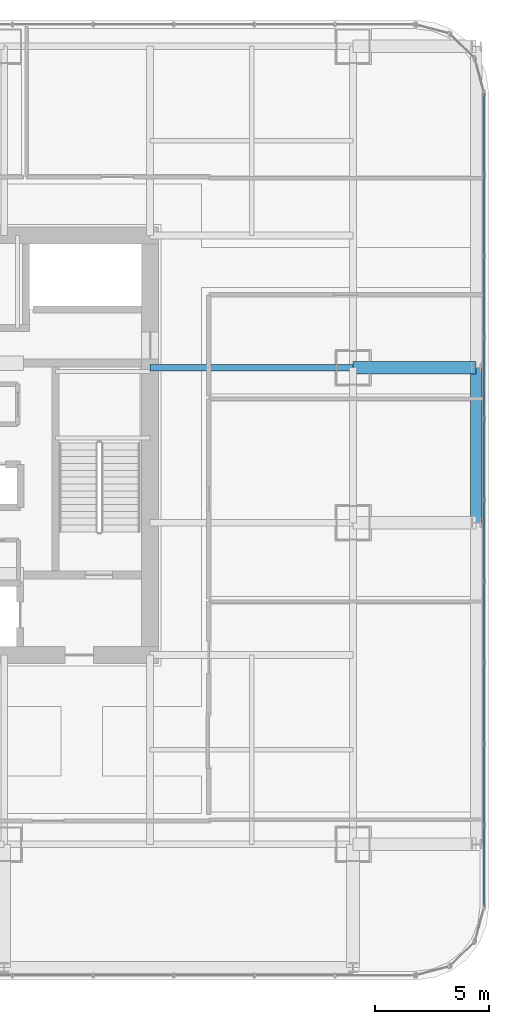
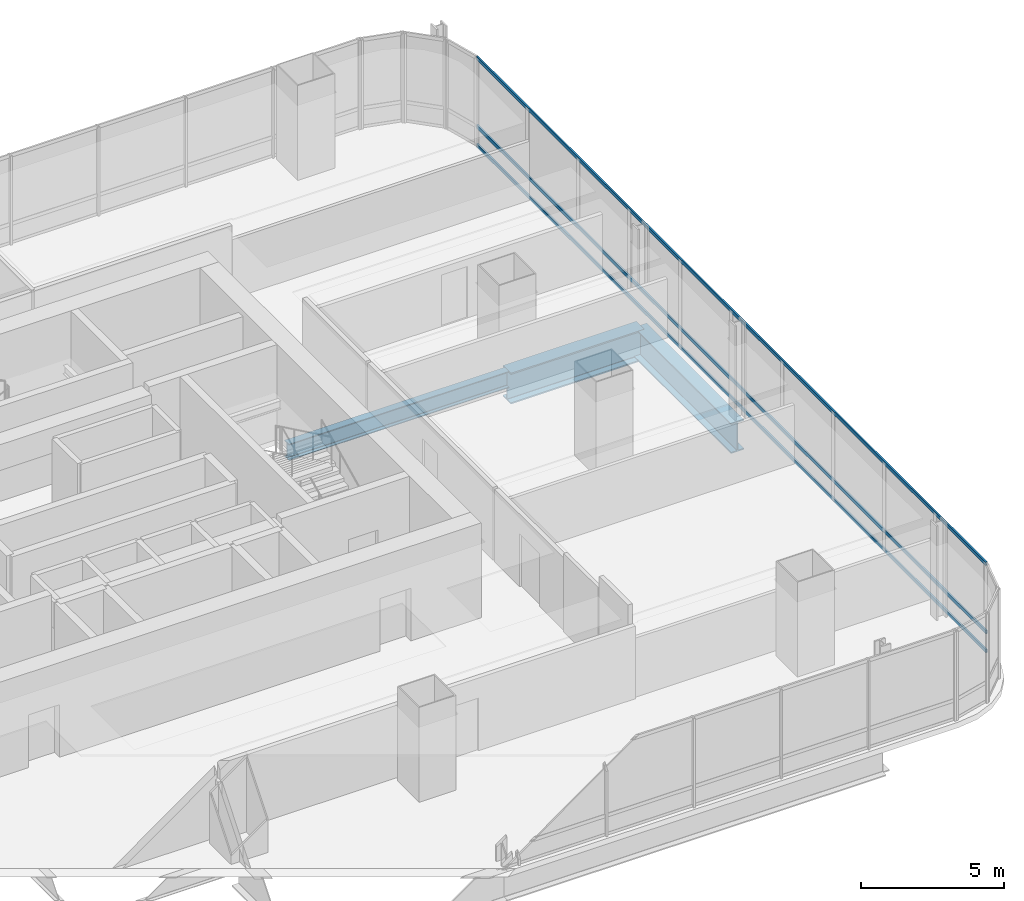
# One storey, part 16 of 35: 3 beams, 3 members, 1 element without a shape of its own.
"""IFC4 building model written with IfcOpenShell, lengths in metres."""

from ifc_helpers import new_model, si_unit, direction, frame, origin, origin_2d, place, context, subcontext, project, spatial, hollow_rectangle, i_section, extrude, material, material_profile, profile_set, type_object, element, aggregate, save


model = new_model("IFC4")

# Units and contexts
model_context = context("Model", 3, precision=1e-05, world=origin(), true_north=direction((0.0, 1.0)))
body_context = subcontext(model_context, "Body", "Model", "MODEL_VIEW")
ifc_project = project(units=[si_unit("LENGTHUNIT", "METRE"), si_unit("AREAUNIT", "SQUARE_METRE"), si_unit("VOLUMEUNIT", "CUBIC_METRE"), si_unit("PLANEANGLEUNIT", "RADIAN"), si_unit("MASSUNIT", "GRAM", prefix="KILO")], contexts=[model_context])

# Site, building, storey
site_placement = place(None, origin())
site = spatial("IfcSite", under=ifc_project, at=site_placement, CompositionType="ELEMENT")
building_placement = place(site_placement, origin())
building = spatial("IfcBuilding", under=site, at=building_placement, Name="Punatoya Terracotta Tower", CompositionType="ELEMENT")
storey_placement = place(building_placement, frame((0.0, 0.0, 68.699951171875)))
storey = spatial("IfcBuildingStorey", under=building, at=storey_placement, Name="L15", CompositionType="ELEMENT", Elevation=68.699951171875)

# Beams
ifc_material_1 = material(Name="Steel S355", Category="steel")
ifc_material_profile_1 = material_profile(ifc_material_1, i_section(OverallWidth=0.300048828125, OverallDepth=0.699951171875, WebThickness=0.01708984375, FlangeThickness=0.031982421875, FilletRadius=0.01806640625, at=origin_2d()))
ifc_profile_set_1 = profile_set([ifc_material_profile_1], Name="Steel S355")
beam_type_1 = type_object("IfcBeamType", Name="BM-PRI-700", PredefinedType="BEAM", material=ifc_profile_set_1)
beam_1_placement = place(storey_placement, frame((10.199951171875, 3.39990234375, -0.58984375), z_axis=(1.0, 0.0, 0.0), x_axis=(0.0, 1.0, 0.0)))
element("IfcBeam", 1, at=beam_1_placement, inside=storey, type_object=beam_type_1, Name="BM-L15-PR-EE", PredefinedType="BEAM", context=body_context, shape_type="SweptSolid", body=[
    extrude(i_section(OverallWidth=0.300048828125, OverallDepth=0.699951171875, WebThickness=0.01708984375, FlangeThickness=0.031982421875, FilletRadius=0.01806640625, at=origin_2d()), origin(), (0.0, 0.0, 1.0), 8.900146484375),
])
ifc_material_2 = material(Name="Steel S460", Category="steel")
ifc_material_profile_2 = material_profile(ifc_material_2, i_section(OverallWidth=0.56005859375, OverallDepth=1.320068359375, WebThickness=0.035888671875, FlangeThickness=0.054931640625, FilletRadius=0.01806640625, at=origin_2d()))
ifc_profile_set_2 = profile_set([ifc_material_profile_2], Name="Steel S460")
beam_type_2 = type_object("IfcBeamType", Name="BM-TG-BLK", PredefinedType="BEAM", material=ifc_profile_set_2)
beam_2_placement = place(storey_placement, frame((19.10009765625, 3.39990234375, -0.89990234375), z_axis=(1.0, 0.0, 0.0), x_axis=(0.0, 1.0, 0.0)))
element("IfcBeam", 2, at=beam_2_placement, inside=storey, type_object=beam_type_2, Name="BM-L15-CANT-E3", PredefinedType="BEAM", context=body_context, shape_type="SweptSolid", body=[
    extrude(i_section(OverallWidth=0.56005859375, OverallDepth=1.320068359375, WebThickness=0.035888671875, FlangeThickness=0.054931640625, FilletRadius=0.01806640625, at=origin_2d()), origin(), (0.0, 0.0, 1.0), 5.39990234375),
])
ifc_material_profile_3 = material_profile(ifc_material_2, i_section(OverallWidth=0.52001953125, OverallDepth=1.280029296875, WebThickness=0.031982421875, FlangeThickness=0.050048828125, FilletRadius=0.01806640625, at=origin_2d()))
ifc_profile_set_3 = profile_set([ifc_material_profile_3], Name="Steel S460")
beam_type_3 = type_object("IfcBeamType", Name="BM-TG-NCK", PredefinedType="BEAM", material=ifc_profile_set_3)
beam_3_placement = place(storey_placement, frame((24.5, -3.39990234375, -0.8798828125), z_axis=(0.0, 1.0, 0.0), x_axis=(-1.0, 0.0, 0.0)))
element("IfcBeam", 3, at=beam_3_placement, inside=storey, type_object=beam_type_3, Name="BM-L15-PER-E2", PredefinedType="BEAM", context=body_context, shape_type="SweptSolid", body=[
    extrude(i_section(OverallWidth=0.52001953125, OverallDepth=1.280029296875, WebThickness=0.031982421875, FlangeThickness=0.050048828125, FilletRadius=0.01806640625, at=origin_2d()), origin(), (0.0, 0.0, 1.0), 6.7998046875),
])

# Curtain wall, members
ifc_material_3 = material(Name="Aluminium 6063-T6 + Double Low-E Glass", Category="aluminium")
curtain_wall_type = type_object("IfcCurtainWallType", Name="CW-M1", PredefinedType="NOTDEFINED", material=ifc_material_3)
curtain_wall_placement = place(storey_placement, origin())
curtain_wall = element("IfcCurtainWall", 4, at=curtain_wall_placement, inside=storey, type_object=curtain_wall_type, Name="L15 Curtain Wall CW-L15-E05-1", PredefinedType="NOTDEFINED")
ifc_material_4 = material(Name="Aluminium 6063-T6", Category="aluminium")
ifc_material_profile_4 = material_profile(ifc_material_4, hollow_rectangle(XDim=0.068115234375, YDim=0.14990234375, WallThickness=0.00390625, at=origin_2d()))
ifc_profile_set_4 = profile_set([ifc_material_profile_4], Name="Aluminium 6063-T6")
member_type = type_object("IfcMemberType", Name="CW-TRN-TYP", PredefinedType="USERDEFINED", material=ifc_profile_set_4)
member_1_placement = place(storey_placement, frame((24.85009765625, -20.23681640625, 0.0400390625), z_axis=(0.0, 1.0, 0.0), x_axis=(-1.0, 0.0, 0.0)))
member_1 = element("IfcMember", 5, at=member_1_placement, type_object=member_type, Name="CW-L15-E05-1 Transom 1", ObjectType="TRANSOM", PredefinedType="USERDEFINED", context=body_context, shape_type="SweptSolid", body=[
    extrude(hollow_rectangle(XDim=0.068115234375, YDim=0.14990234375, WallThickness=0.00390625, at=origin_2d()), origin(), (0.0, 0.0, 1.0), 35.673828125),
])
member_2_placement = place(storey_placement, frame((24.85009765625, -20.23681640625, 0.85009765625), z_axis=(0.0, 1.0, 0.0), x_axis=(-1.0, 0.0, 0.0)))
member_2 = element("IfcMember", 6, at=member_2_placement, type_object=member_type, Name="CW-L15-E05-1 Transom 2", ObjectType="TRANSOM", PredefinedType="USERDEFINED", context=body_context, shape_type="SweptSolid", body=[
    extrude(hollow_rectangle(XDim=0.068115234375, YDim=0.14990234375, WallThickness=0.00390625, at=origin_2d()), origin(), (0.0, 0.0, 1.0), 35.673828125),
])
member_3_placement = place(storey_placement, frame((24.85009765625, -20.23681640625, 3.77001953125), z_axis=(0.0, 1.0, 0.0), x_axis=(-1.0, 0.0, 0.0)))
member_3 = element("IfcMember", 7, at=member_3_placement, type_object=member_type, Name="CW-L15-E05-1 Transom 3", ObjectType="TRANSOM", PredefinedType="USERDEFINED", context=body_context, shape_type="SweptSolid", body=[
    extrude(hollow_rectangle(XDim=0.068115234375, YDim=0.14990234375, WallThickness=0.00390625, at=origin_2d()), origin(), (0.0, 0.0, 1.0), 35.673828125),
])
aggregate(curtain_wall, [member_1, member_2, member_3])

save(model, "model.ifc")
